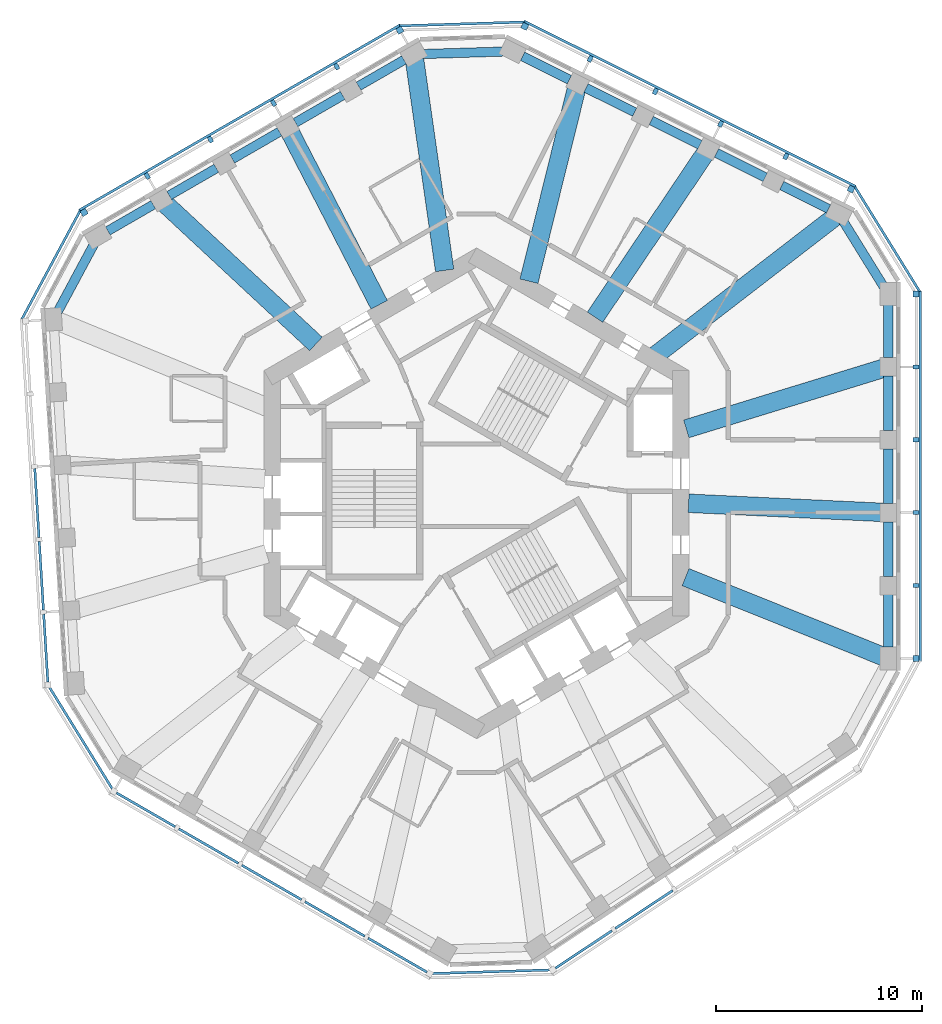
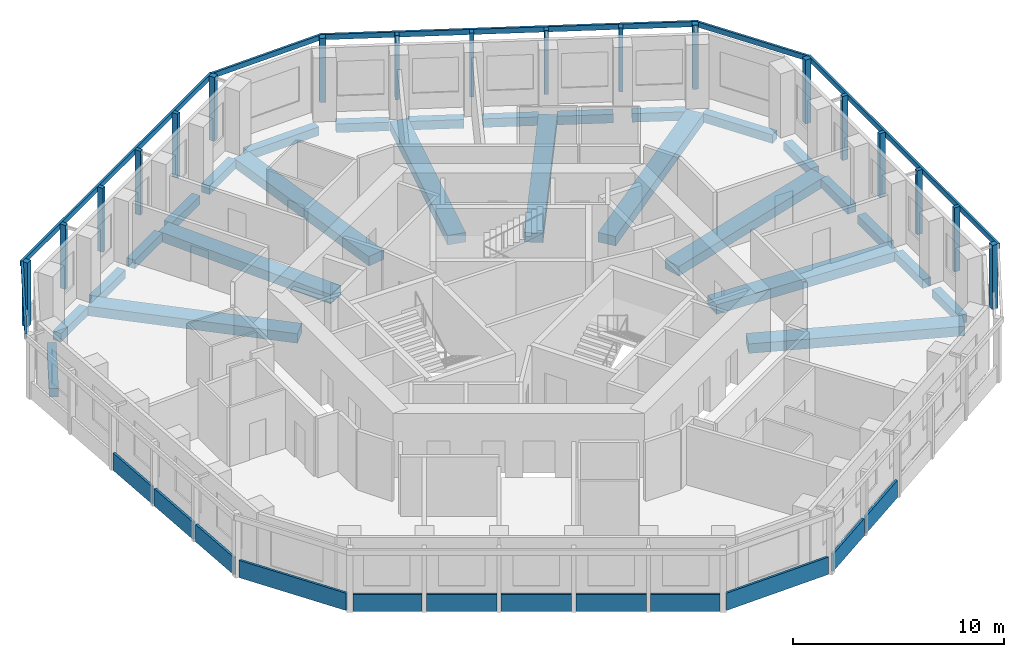
# One storey, part 2 of 11: 27 beams, 24 members, 12 plates, 11 elements without a shape of their own.
"""IFC4 building model written with IfcOpenShell, lengths in metres."""

from ifc_helpers import new_model, si_unit, direction, frame, origin, origin_2d, place, context, subcontext, project, spatial, rectangle, extrude, material, layer, layer_set, material_profile, profile_set, type_object, element, aggregate, save


model = new_model("IFC4")

# Units and contexts
model_context = context("Model", 3, precision=1e-05, world=origin(), true_north=direction((0.0, 1.0)))
body_context = subcontext(model_context, "Body", "Model", "MODEL_VIEW")
ifc_project = project(units=[si_unit("LENGTHUNIT", "METRE"), si_unit("AREAUNIT", "SQUARE_METRE"), si_unit("VOLUMEUNIT", "CUBIC_METRE"), si_unit("PLANEANGLEUNIT", "RADIAN"), si_unit("MASSUNIT", "GRAM", prefix="KILO")], contexts=[model_context])

# Site, building, storey
site_placement = place(None, origin())
site = spatial("IfcSite", under=ifc_project, at=site_placement, CompositionType="ELEMENT")
building_placement = place(site_placement, origin())
building = spatial("IfcBuilding", under=site, at=building_placement, Name="Vanh Sen Convention Tower", CompositionType="ELEMENT")
storey_placement = place(building_placement, frame((0.0, 0.0, 232.800048828125)))
storey = spatial("IfcBuildingStorey", under=building, at=storey_placement, Name="L57", CompositionType="ELEMENT", Elevation=232.800048828125)

# Curtain wall, members
ifc_material_1 = material(Name="Concrete C50/60", Category="concrete")
curtain_wall_type = type_object("IfcCurtainWallType", Name="Outer skin office zone", PredefinedType="NOTDEFINED", material=ifc_material_1)
curtain_wall_1_placement = place(storey_placement, origin())
curtain_wall_1 = element("IfcCurtainWall", 1, at=curtain_wall_1_placement, inside=storey, type_object=curtain_wall_type, Name="OUTER SKIN E L57", PredefinedType="NOTDEFINED")
ifc_material_profile_1 = material_profile(ifc_material_1, rectangle(XDim=0.300048828125, YDim=0.300048828125, at=origin_2d()), Name="Outer skin precast corner fin 300 x 300")
ifc_profile_set_1 = profile_set([ifc_material_profile_1], Name="Concrete C50/60")
member_type_1 = type_object("IfcMemberType", Name="Outer skin precast corner fin 300 x 300", PredefinedType="MULLION", material=ifc_profile_set_1)
member_1_placement = place(storey_placement, frame((21.300048828125, -8.002685546875, 0.0), z_axis=(0.0, 0.0, 1.0), x_axis=(0.0, 1.0, 0.0)))
member_1 = element("IfcMember", 2, at=member_1_placement, type_object=member_type_1, Name="OUTER SKIN CORNER FIN 1 E L57", PredefinedType="MULLION", context=body_context, shape_type="SweptSolid", body=[
    extrude(rectangle(XDim=0.300048828125, YDim=0.300048828125, at=origin_2d()), origin(), (0.0, 0.0, 1.0), 3.699951171875),
])
member_2_placement = place(storey_placement, frame((21.300048828125, 9.665283203125, 0.0), z_axis=(0.0, 0.0, 1.0), x_axis=(0.0, 1.0, 0.0)))
member_2 = element("IfcMember", 3, at=member_2_placement, type_object=member_type_1, Name="OUTER SKIN CORNER FIN 6 E L57", PredefinedType="MULLION", context=body_context, shape_type="SweptSolid", body=[
    extrude(rectangle(XDim=0.300048828125, YDim=0.300048828125, at=origin_2d()), origin(), (0.0, 0.0, 1.0), 3.699951171875),
])

curtain_wall_2_placement = place(storey_placement, origin())
curtain_wall_2 = element("IfcCurtainWall", 4, at=curtain_wall_2_placement, inside=storey, type_object=curtain_wall_type, Name="OUTER SKIN NE L57", PredefinedType="NOTDEFINED")
member_3_placement = place(storey_placement, frame((18.15380859375, 14.74951171875, 0.0), z_axis=(0.0, 0.0, 1.0), x_axis=(-0.894934361602, 0.44619781311, 0.0)))
member_3 = element("IfcMember", 5, at=member_3_placement, type_object=member_type_1, Name="OUTER SKIN CORNER FIN 1 NE L57", PredefinedType="MULLION", context=body_context, shape_type="SweptSolid", body=[
    extrude(rectangle(XDim=0.300048828125, YDim=0.300048828125, at=origin_2d()), origin(), (0.0, 0.0, 1.0), 3.699951171875),
])
member_4_placement = place(storey_placement, frame((2.342041015625, 22.633056640625, 0.0), z_axis=(0.0, 0.0, 1.0), x_axis=(-0.894934361602, 0.44619781311, 0.0)))
member_4 = element("IfcMember", 6, at=member_4_placement, type_object=member_type_1, Name="OUTER SKIN CORNER FIN 6 NE L57", PredefinedType="MULLION", context=body_context, shape_type="SweptSolid", body=[
    extrude(rectangle(XDim=0.300048828125, YDim=0.300048828125, at=origin_2d()), origin(), (0.0, 0.0, 1.0), 3.699951171875),
])

curtain_wall_3_placement = place(storey_placement, origin())
curtain_wall_3 = element("IfcCurtainWall", 7, at=curtain_wall_3_placement, inside=storey, type_object=curtain_wall_type, Name="OUTER SKIN NW L57", PredefinedType="NOTDEFINED")
member_5_placement = place(storey_placement, frame((-3.719482421875, 22.44775390625, 0.0), z_axis=(0.0, 0.0, 1.0), x_axis=(-0.866025403784, -0.5, 0.0)))
member_5 = element("IfcMember", 8, at=member_5_placement, type_object=member_type_1, Name="OUTER SKIN CORNER FIN 1 NW L57", PredefinedType="MULLION", context=body_context, shape_type="SweptSolid", body=[
    extrude(rectangle(XDim=0.300048828125, YDim=0.300048828125, at=origin_2d()), origin(), (0.0, 0.0, 1.0), 3.699951171875),
])
member_6_placement = place(storey_placement, frame((-19.0205078125, 13.613525390625, 0.0), z_axis=(0.0, 0.0, 1.0), x_axis=(-0.866025403784, -0.5, 0.0)))
member_6 = element("IfcMember", 9, at=member_6_placement, type_object=member_type_1, Name="OUTER SKIN CORNER FIN 6 NW L57", PredefinedType="MULLION", context=body_context, shape_type="SweptSolid", body=[
    extrude(rectangle(XDim=0.300048828125, YDim=0.300048828125, at=origin_2d()), origin(), (0.0, 0.0, 1.0), 3.699951171875),
])

# Member
ifc_material_profile_2 = material_profile(ifc_material_1, rectangle(XDim=0.199951171875, YDim=0.300048828125, at=origin_2d()), Name="Outer skin precast fin 200 x 300")
ifc_profile_set_2 = profile_set([ifc_material_profile_2], Name="Concrete C50/60")
member_type_2 = type_object("IfcMemberType", Name="Outer skin precast fin 200 x 300", PredefinedType="MULLION", material=ifc_profile_set_2)
member_7_placement = place(storey_placement, frame((21.300048828125, -4.46923828125, 0.0), z_axis=(0.0, 0.0, 1.0), x_axis=(0.0, 1.0, 0.0)))
member_7 = element("IfcMember", 10, at=member_7_placement, type_object=member_type_2, Name="OUTER SKIN fin 2 E L57", PredefinedType="MULLION", context=body_context, shape_type="SweptSolid", body=[
    extrude(rectangle(XDim=0.199951171875, YDim=0.300048828125, at=origin_2d()), origin(), (0.0, 0.0, 1.0), 3.699951171875),
])

member_8_placement = place(storey_placement, frame((21.300048828125, -0.935546875, 0.0), z_axis=(0.0, 0.0, 1.0), x_axis=(0.0, 1.0, 0.0)))
member_8 = element("IfcMember", 11, at=member_8_placement, type_object=member_type_2, Name="OUTER SKIN fin 3 E L57", PredefinedType="MULLION", context=body_context, shape_type="SweptSolid", body=[
    extrude(rectangle(XDim=0.199951171875, YDim=0.300048828125, at=origin_2d()), origin(), (0.0, 0.0, 1.0), 3.699951171875),
])

member_9_placement = place(storey_placement, frame((21.300048828125, 2.59814453125, 0.0), z_axis=(0.0, 0.0, 1.0), x_axis=(0.0, 1.0, 0.0)))
member_9 = element("IfcMember", 12, at=member_9_placement, type_object=member_type_2, Name="OUTER SKIN fin 4 E L57", PredefinedType="MULLION", context=body_context, shape_type="SweptSolid", body=[
    extrude(rectangle(XDim=0.199951171875, YDim=0.300048828125, at=origin_2d()), origin(), (0.0, 0.0, 1.0), 3.699951171875),
])

member_10_placement = place(storey_placement, frame((21.300048828125, 6.131591796875, 0.0), z_axis=(0.0, 0.0, 1.0), x_axis=(0.0, 1.0, 0.0)))
member_10 = element("IfcMember", 13, at=member_10_placement, type_object=member_type_2, Name="OUTER SKIN fin 5 E L57", PredefinedType="MULLION", context=body_context, shape_type="SweptSolid", body=[
    extrude(rectangle(XDim=0.199951171875, YDim=0.300048828125, at=origin_2d()), origin(), (0.0, 0.0, 1.0), 3.699951171875),
])

member_11_placement = place(storey_placement, frame((14.99169921875, 16.326171875, 0.0), z_axis=(0.0, 0.0, 1.0), x_axis=(-0.894934361602, 0.44619781311, 0.0)))
member_11 = element("IfcMember", 14, at=member_11_placement, type_object=member_type_2, Name="OUTER SKIN fin 2 NE L57", PredefinedType="MULLION", context=body_context, shape_type="SweptSolid", body=[
    extrude(rectangle(XDim=0.199951171875, YDim=0.300048828125, at=origin_2d()), origin(), (0.0, 0.0, 1.0), 3.699951171875),
])

member_12_placement = place(storey_placement, frame((11.8291015625, 17.90283203125, 0.0), z_axis=(0.0, 0.0, 1.0), x_axis=(-0.894934361602, 0.44619781311, 0.0)))
member_12 = element("IfcMember", 15, at=member_12_placement, type_object=member_type_2, Name="OUTER SKIN fin 3 NE L57", PredefinedType="MULLION", context=body_context, shape_type="SweptSolid", body=[
    extrude(rectangle(XDim=0.199951171875, YDim=0.300048828125, at=origin_2d()), origin(), (0.0, 0.0, 1.0), 3.699951171875),
])

member_13_placement = place(storey_placement, frame((8.666748046875, 19.4794921875, 0.0), z_axis=(0.0, 0.0, 1.0), x_axis=(-0.894934361602, 0.44619781311, 0.0)))
member_13 = element("IfcMember", 16, at=member_13_placement, type_object=member_type_2, Name="OUTER SKIN fin 4 NE L57", PredefinedType="MULLION", context=body_context, shape_type="SweptSolid", body=[
    extrude(rectangle(XDim=0.199951171875, YDim=0.300048828125, at=origin_2d()), origin(), (0.0, 0.0, 1.0), 3.699951171875),
])

member_14_placement = place(storey_placement, frame((5.50439453125, 21.056396484375, 0.0), z_axis=(0.0, 0.0, 1.0), x_axis=(-0.894934361602, 0.44619781311, 0.0)))
member_14 = element("IfcMember", 17, at=member_14_placement, type_object=member_type_2, Name="OUTER SKIN fin 5 NE L57", PredefinedType="MULLION", context=body_context, shape_type="SweptSolid", body=[
    extrude(rectangle(XDim=0.199951171875, YDim=0.300048828125, at=origin_2d()), origin(), (0.0, 0.0, 1.0), 3.699951171875),
])

member_15_placement = place(storey_placement, frame((-6.779541015625, 20.680908203125, 0.0), z_axis=(0.0, 0.0, 1.0), x_axis=(-0.866025403784, -0.5, 0.0)))
member_15 = element("IfcMember", 18, at=member_15_placement, type_object=member_type_2, Name="OUTER SKIN fin 2 NW L57", PredefinedType="MULLION", context=body_context, shape_type="SweptSolid", body=[
    extrude(rectangle(XDim=0.199951171875, YDim=0.300048828125, at=origin_2d()), origin(), (0.0, 0.0, 1.0), 3.699951171875),
])

member_16_placement = place(storey_placement, frame((-9.83984375, 18.9140625, 0.0), z_axis=(0.0, 0.0, 1.0), x_axis=(-0.866025403784, -0.5, 0.0)))
member_16 = element("IfcMember", 19, at=member_16_placement, type_object=member_type_2, Name="OUTER SKIN fin 3 NW L57", PredefinedType="MULLION", context=body_context, shape_type="SweptSolid", body=[
    extrude(rectangle(XDim=0.199951171875, YDim=0.300048828125, at=origin_2d()), origin(), (0.0, 0.0, 1.0), 3.699951171875),
])

member_17_placement = place(storey_placement, frame((-12.89990234375, 17.147216796875, 0.0), z_axis=(0.0, 0.0, 1.0), x_axis=(-0.866025403784, -0.5, 0.0)))
member_17 = element("IfcMember", 20, at=member_17_placement, type_object=member_type_2, Name="OUTER SKIN fin 4 NW L57", PredefinedType="MULLION", context=body_context, shape_type="SweptSolid", body=[
    extrude(rectangle(XDim=0.199951171875, YDim=0.300048828125, at=origin_2d()), origin(), (0.0, 0.0, 1.0), 3.699951171875),
])

member_18_placement = place(storey_placement, frame((-15.960205078125, 15.38037109375, 0.0), z_axis=(0.0, 0.0, 1.0), x_axis=(-0.866025403784, -0.5, 0.0)))
member_18 = element("IfcMember", 21, at=member_18_placement, type_object=member_type_2, Name="OUTER SKIN fin 5 NW L57", PredefinedType="MULLION", context=body_context, shape_type="SweptSolid", body=[
    extrude(rectangle(XDim=0.199951171875, YDim=0.300048828125, at=origin_2d()), origin(), (0.0, 0.0, 1.0), 3.699951171875),
])

ifc_material_profile_3 = material_profile(ifc_material_1, rectangle(XDim=0.1201171875, YDim=0.300048828125, at=origin_2d()), Name="Outer skin precast spandrel band 300 x 120")
ifc_profile_set_3 = profile_set([ifc_material_profile_3], Name="Concrete C50/60")
member_type_3 = type_object("IfcMemberType", Name="Outer skin precast spandrel band 300 x 120", PredefinedType="USERDEFINED", material=ifc_profile_set_3)
member_19_placement = place(storey_placement, frame((21.510009765625, -8.15283203125, 3.550048828125), z_axis=(0.0, 1.0, 0.0), x_axis=(-1.0, 0.0, 0.0)))
member_19 = element("IfcMember", 22, at=member_19_placement, type_object=member_type_3, Name="OUTER SKIN spandrel band E L57", ObjectType="TRANSOM", PredefinedType="USERDEFINED", context=body_context, shape_type="SweptSolid", body=[
    extrude(rectangle(XDim=0.1201171875, YDim=0.300048828125, at=origin_2d()), origin(), (0.0, 0.0, 1.0), 17.96826171875),
])

aggregate(curtain_wall_1, [member_1, member_7, member_8, member_9, member_10, member_2, member_19])

# Curtain wall, member
curtain_wall_4_placement = place(storey_placement, origin())
curtain_wall_4 = element("IfcCurtainWall", 23, at=curtain_wall_4_placement, inside=storey, type_object=curtain_wall_type, Name="OUTER SKIN CH1 L57", PredefinedType="NOTDEFINED")
member_20_placement = place(storey_placement, frame((21.478515625, 9.77587890625, 3.550048828125), z_axis=(-0.526187318786, 0.850368688011, 0.0), x_axis=(-0.850368688011, -0.526187318786, 0.0)))
member_20 = element("IfcMember", 24, at=member_20_placement, type_object=member_type_3, Name="OUTER SKIN spandrel band CH1 L57", ObjectType="TRANSOM", PredefinedType="USERDEFINED", context=body_context, shape_type="SweptSolid", body=[
    extrude(rectangle(XDim=0.1201171875, YDim=0.300048828125, at=origin_2d()), origin(), (0.0, 0.0, 1.0), 5.978759765625),
])
aggregate(curtain_wall_4, [member_20])

# Member
member_21_placement = place(storey_placement, frame((18.3818359375, 14.87060546875, 3.550048828125), z_axis=(-0.894940208367, 0.446186086121, 0.0), x_axis=(-0.446186086121, -0.894940208367, 0.0)))
member_21 = element("IfcMember", 25, at=member_21_placement, type_object=member_type_3, Name="OUTER SKIN spandrel band NE L57", ObjectType="TRANSOM", PredefinedType="USERDEFINED", context=body_context, shape_type="SweptSolid", body=[
    extrude(rectangle(XDim=0.1201171875, YDim=0.300048828125, at=origin_2d()), origin(), (0.0, 0.0, 1.0), 17.968017578125),
])

aggregate(curtain_wall_2, [member_3, member_11, member_12, member_13, member_14, member_4, member_21])

# Curtain wall, member
curtain_wall_5_placement = place(storey_placement, origin())
curtain_wall_5 = element("IfcCurtainWall", 26, at=curtain_wall_5_placement, inside=storey, type_object=curtain_wall_type, Name="OUTER SKIN CH2 L57", PredefinedType="NOTDEFINED")
member_22_placement = place(storey_placement, frame((2.335693359375, 22.843017578125, 3.550048828125), z_axis=(-0.999533054911, -0.030556049165, 0.0), x_axis=(0.030556049165, -0.999533054911, 0.0)))
member_22 = element("IfcMember", 27, at=member_22_placement, type_object=member_type_3, Name="OUTER SKIN spandrel band CH2 L57", ObjectType="TRANSOM", PredefinedType="USERDEFINED", context=body_context, shape_type="SweptSolid", body=[
    extrude(rectangle(XDim=0.1201171875, YDim=0.300048828125, at=origin_2d()), origin(), (0.0, 0.0, 1.0), 6.064453125),
])
aggregate(curtain_wall_5, [member_22])

# Member
member_23_placement = place(storey_placement, frame((-3.694580078125, 22.70458984375, 3.550048828125), z_axis=(-0.866022898019, -0.500004340088, 0.0), x_axis=(0.500004340088, -0.866022898019, 0.0)))
member_23 = element("IfcMember", 28, at=member_23_placement, type_object=member_type_3, Name="OUTER SKIN spandrel band NW L57", ObjectType="TRANSOM", PredefinedType="USERDEFINED", context=body_context, shape_type="SweptSolid", body=[
    extrude(rectangle(XDim=0.1201171875, YDim=0.300048828125, at=origin_2d()), origin(), (0.0, 0.0, 1.0), 17.968017578125),
])

aggregate(curtain_wall_3, [member_5, member_15, member_16, member_17, member_18, member_6, member_23])

# Curtain wall, member
curtain_wall_6_placement = place(storey_placement, origin())
curtain_wall_6 = element("IfcCurtainWall", 29, at=curtain_wall_6_placement, inside=storey, type_object=curtain_wall_type, Name="OUTER SKIN CH3 L57", PredefinedType="NOTDEFINED")
member_24_placement = place(storey_placement, frame((-19.20556640625, 13.712890625, 3.550048828125), z_axis=(-0.473317965247, -0.880891652688, 0.0), x_axis=(0.880891652688, -0.473317965247, 0.0)))
member_24 = element("IfcMember", 30, at=member_24_placement, type_object=member_type_3, Name="OUTER SKIN spandrel band CH3 L57", ObjectType="TRANSOM", PredefinedType="USERDEFINED", context=body_context, shape_type="SweptSolid", body=[
    extrude(rectangle(XDim=0.1201171875, YDim=0.300048828125, at=origin_2d()), origin(), (0.0, 0.0, 1.0), 5.978759765625),
])
aggregate(curtain_wall_6, [member_24])

# Beams
ifc_material_2 = material(Name="Concrete C50/60", Category="concrete")
ifc_material_profile_4 = material_profile(ifc_material_2, rectangle(XDim=0.89990234375, YDim=0.550048828125, at=origin_2d()), Name="RC 900X550")
ifc_profile_set_4 = profile_set([ifc_material_profile_4], Name="Concrete C50/60")
beam_type_1 = type_object("IfcBeamType", Name="Radial floor beam 900 x 550", PredefinedType="BEAM", material=ifc_profile_set_4)
beam_1_placement = place(storey_placement, frame((19.72216796875, -7.911376953125, -0.554931640625), z_axis=(-0.928114670257, 0.372294451816, 0.0), x_axis=(-0.372294451816, -0.928114670257, 0.0)))
element("IfcBeam", 31, at=beam_1_placement, inside=storey, type_object=beam_type_1, Name="Radial beam 01 L57", PredefinedType="BEAM", context=body_context, shape_type="SweptSolid", body=[
    extrude(rectangle(XDim=0.89990234375, YDim=0.550048828125, at=origin_2d()), origin(), (0.0, 0.0, 1.0), 10.337646484375),
])
beam_2_placement = place(storey_placement, frame((19.944580078125, -0.935302734375, -0.554931640625), z_axis=(-0.998901717951, 0.046854646233, 0.0), x_axis=(-0.046854646233, -0.998901717951, 0.0)))
element("IfcBeam", 32, at=beam_2_placement, inside=storey, type_object=beam_type_1, Name="Radial beam 02 L57", PredefinedType="BEAM", context=body_context, shape_type="SweptSolid", body=[
    extrude(rectangle(XDim=0.89990234375, YDim=0.550048828125, at=origin_2d()), origin(), (0.0, 0.0, 1.0), 9.681396484375),
])
beam_3_placement = place(storey_placement, frame((19.89013671875, 6.11328125, -0.554931640625), z_axis=(-0.955867150523, -0.293799235111, 0.0), x_axis=(0.293799235111, -0.955867150523, 0.0)))
element("IfcBeam", 33, at=beam_3_placement, inside=storey, type_object=beam_type_1, Name="Radial beam 03 L57", PredefinedType="BEAM", context=body_context, shape_type="SweptSolid", body=[
    extrude(rectangle(XDim=0.89990234375, YDim=0.550048828125, at=origin_2d()), origin(), (0.0, 0.0, 1.0), 10.17626953125),
])
beam_4_placement = place(storey_placement, frame((17.376220703125, 13.406005859375, -0.554931640625), z_axis=(-0.79175189304, -0.610842811096, 0.0), x_axis=(0.610842811096, -0.79175189304, 0.0)))
element("IfcBeam", 34, at=beam_4_placement, inside=storey, type_object=beam_type_1, Name="Radial beam 04 L57", PredefinedType="BEAM", context=body_context, shape_type="SweptSolid", body=[
    extrude(rectangle(XDim=0.89990234375, YDim=0.550048828125, at=origin_2d()), origin(), (0.0, 0.0, 1.0), 11.0),
])
beam_5_placement = place(storey_placement, frame((11.21337890625, 16.6748046875, -0.554931640625), z_axis=(-0.558028035839, -0.829822096125, 0.0), x_axis=(0.829822096125, -0.558028035839, 0.0)))
element("IfcBeam", 35, at=beam_5_placement, inside=storey, type_object=beam_type_1, Name="Radial beam 05 L57", PredefinedType="BEAM", context=body_context, shape_type="SweptSolid", body=[
    extrude(rectangle(XDim=0.89990234375, YDim=0.550048828125, at=origin_2d()), origin(), (0.0, 0.0, 1.0), 9.80615234375),
])
beam_6_placement = place(storey_placement, frame((4.891357421875, 19.8046875, -0.554931640625), z_axis=(-0.239789122055, -0.970824998104, 0.0), x_axis=(0.970824998104, -0.239789122055, 0.0)))
element("IfcBeam", 36, at=beam_6_placement, inside=storey, type_object=beam_type_1, Name="Radial beam 06 L57", PredefinedType="BEAM", context=body_context, shape_type="SweptSolid", body=[
    extrude(rectangle(XDim=0.89990234375, YDim=0.550048828125, at=origin_2d()), origin(), (0.0, 0.0, 1.0), 9.81298828125),
])
beam_7_placement = place(storey_placement, frame((-3.009521484375, 21.03564453125, -0.554931640625), z_axis=(0.141629652846, -0.989919714641, 0.0), x_axis=(0.989919714641, 0.141629652846, 0.0)))
element("IfcBeam", 37, at=beam_7_placement, inside=storey, type_object=beam_type_1, Name="Radial beam 07 L57", PredefinedType="BEAM", context=body_context, shape_type="SweptSolid", body=[
    extrude(rectangle(XDim=0.89990234375, YDim=0.550048828125, at=origin_2d()), origin(), (0.0, 0.0, 1.0), 10.337646484375),
])
beam_8_placement = place(storey_placement, frame((-9.162353515625, 17.740234375, -0.554931640625), z_axis=(0.458886355863, -0.888494970387, 0.0), x_axis=(0.888494970387, 0.458886355863, 0.0)))
element("IfcBeam", 38, at=beam_8_placement, inside=storey, type_object=beam_type_1, Name="Radial beam 08 L57", PredefinedType="BEAM", context=body_context, shape_type="SweptSolid", body=[
    extrude(rectangle(XDim=0.89990234375, YDim=0.550048828125, at=origin_2d()), origin(), (0.0, 0.0, 1.0), 9.681396484375),
])
beam_9_placement = place(storey_placement, frame((-15.239501953125, 14.168701171875, -0.554931640625), z_axis=(0.732368678004, -0.680908304751, 0.0), x_axis=(0.680908304751, 0.732368678004, 0.0)))
element("IfcBeam", 39, at=beam_9_placement, inside=storey, type_object=beam_type_1, Name="Radial beam 09 L57", PredefinedType="BEAM", context=body_context, shape_type="SweptSolid", body=[
    extrude(rectangle(XDim=0.89990234375, YDim=0.550048828125, at=origin_2d()), origin(), (0.0, 0.0, 1.0), 10.176513671875),
])
ifc_material_profile_5 = material_profile(ifc_material_2, rectangle(XDim=0.449951171875, YDim=0.5, at=origin_2d()), Name="RC 450X500")
ifc_profile_set_5 = profile_set([ifc_material_profile_5], Name="Concrete C50/60")
beam_type_2 = type_object("IfcBeamType", Name="Spandrel beam 450 x 500", PredefinedType="SPANDREL", material=ifc_profile_set_5)
beam_10_placement = place(storey_placement, frame((19.949951171875, -7.457763671875, -0.530029296875), z_axis=(0.0, 1.0, 0.0), x_axis=(-1.0, 0.0, 0.0)))
element("IfcBeam", 40, at=beam_10_placement, inside=storey, type_object=beam_type_2, Name="Spandrel beam 01 L57", PredefinedType="SPANDREL", context=body_context, shape_type="SweptSolid", body=[
    extrude(rectangle(XDim=0.449951171875, YDim=0.5, at=origin_2d()), origin(), (0.0, 0.0, 1.0), 2.54345703125),
])
for number, where, z_axis, x_axis, name in (
    (41, (19.949951171875, -4.024169921875, -0.530029296875), (0.0, 1.0, 0.0), (-1.0, 0.0, 0.0), "Spandrel beam 02 L57"),
    (42, (19.949951171875, -0.490478515625, -0.530029296875), (0.0, 1.0, 0.0), (-1.0, 0.0, 0.0), "Spandrel beam 03 L57"),
    (43, (19.949951171875, 3.043212890625, -0.530029296875), (0.0, 1.0, 0.0), (-1.0, 0.0, 0.0), "Spandrel beam 04 L57"),
):
    element("IfcBeam", number, at=place(storey_placement, frame(where, z_axis=z_axis, x_axis=x_axis)), inside=storey, type_object=beam_type_2, Name=name, PredefinedType="SPANDREL", context=body_context, shape_type="SweptSolid", body=[
        extrude(rectangle(XDim=0.449951171875, YDim=0.5, at=origin_2d()), origin(), (0.0, 0.0, 1.0), 2.6435546875),
    ])
beam_11_placement = place(storey_placement, frame((19.949951171875, 6.57666015625, -0.530029296875), z_axis=(0.0, 1.0, 0.0), x_axis=(-1.0, 0.0, 0.0)))
element("IfcBeam", 44, at=beam_11_placement, inside=storey, type_object=beam_type_2, Name="Spandrel beam 05 L57", PredefinedType="SPANDREL", context=body_context, shape_type="SweptSolid", body=[
    extrude(rectangle(XDim=0.449951171875, YDim=0.5, at=origin_2d()), origin(), (0.0, 0.0, 1.0), 2.543701171875),
])
beam_12_placement = place(storey_placement, frame((19.743896484375, 9.998291015625, -0.530029296875), z_axis=(-0.526203201027, 0.850358860264, 0.0), x_axis=(-0.850358860264, -0.526203201027, 0.0)))
element("IfcBeam", 45, at=beam_12_placement, inside=storey, type_object=beam_type_2, Name="Spandrel beam 06 L57", PredefinedType="SPANDREL", context=body_context, shape_type="SweptSolid", body=[
    extrude(rectangle(XDim=0.449951171875, YDim=0.5, at=origin_2d()), origin(), (0.0, 0.0, 1.0), 3.77490234375),
])
beam_13_placement = place(storey_placement, frame((17.063720703125, 13.784423828125, -0.530029296875), z_axis=(-0.894925734573, 0.446215115834, 0.0), x_axis=(-0.446215115834, -0.894925734573, 0.0)))
element("IfcBeam", 46, at=beam_13_placement, inside=storey, type_object=beam_type_2, Name="Spandrel beam 07 L57", PredefinedType="SPANDREL", context=body_context, shape_type="SweptSolid", body=[
    extrude(rectangle(XDim=0.449951171875, YDim=0.5, at=origin_2d()), origin(), (0.0, 0.0, 1.0), 2.543701171875),
])
for number, where, z_axis, x_axis, name in (
    (47, (13.990966796875, 15.31640625, -0.530029296875), (-0.894925303477, 0.446215980436, 0.0), (-0.446215980436, -0.894925303477, 0.0), "Spandrel beam 08 L57"),
    (48, (10.82861328125, 16.893310546875, -0.530029296875), (-0.894925303477, 0.446215980436, 0.0), (-0.446215980436, -0.894925303477, 0.0), "Spandrel beam 09 L57"),
    (49, (7.666259765625, 18.469970703125, -0.530029296875), (-0.894925303477, 0.446215980436, 0.0), (-0.446215980436, -0.894925303477, 0.0), "Spandrel beam 10 L57"),
):
    element("IfcBeam", number, at=place(storey_placement, frame(where, z_axis=z_axis, x_axis=x_axis)), inside=storey, type_object=beam_type_2, Name=name, PredefinedType="SPANDREL", context=body_context, shape_type="SweptSolid", body=[
        extrude(rectangle(XDim=0.449951171875, YDim=0.5, at=origin_2d()), origin(), (0.0, 0.0, 1.0), 2.643798828125),
    ])
beam_14_placement = place(storey_placement, frame((4.50390625, 20.046630859375, -0.530029296875), z_axis=(-0.894944842666, 0.44617679073, 0.0), x_axis=(-0.44617679073, -0.894944842666, 0.0)))
element("IfcBeam", 50, at=beam_14_placement, inside=storey, type_object=beam_type_2, Name="Spandrel beam 11 L57", PredefinedType="SPANDREL", context=body_context, shape_type="SweptSolid", body=[
    extrude(rectangle(XDim=0.449951171875, YDim=0.5, at=origin_2d()), origin(), (0.0, 0.0, 1.0), 2.5439453125),
])
beam_15_placement = place(storey_placement, frame((1.318603515625, 21.411865234375, -0.530029296875), z_axis=(-0.999534166839, -0.030519654667, 0.0), x_axis=(0.030519654667, -0.999534166839, 0.0)))
element("IfcBeam", 51, at=beam_15_placement, inside=storey, type_object=beam_type_2, Name="Spandrel beam 12 L57", PredefinedType="SPANDREL", context=body_context, shape_type="SweptSolid", body=[
    extrude(rectangle(XDim=0.449951171875, YDim=0.5, at=origin_2d()), origin(), (0.0, 0.0, 1.0), 3.94384765625),
])
beam_16_placement = place(storey_placement, frame((-3.516357421875, 21.006103515625, -0.530029296875), z_axis=(-0.866043336059, -0.499968939103, 0.0), x_axis=(0.499968939103, -0.866043336059, 0.0)))
element("IfcBeam", 52, at=beam_16_placement, inside=storey, type_object=beam_type_2, Name="Spandrel beam 13 L57", PredefinedType="SPANDREL", context=body_context, shape_type="SweptSolid", body=[
    extrude(rectangle(XDim=0.449951171875, YDim=0.5, at=origin_2d()), origin(), (0.0, 0.0, 1.0), 2.543701171875),
])
for number, where, z_axis, x_axis, name in (
    (53, (-6.489990234375, 19.289306640625, -0.530029296875), (-0.866017944311, -0.500012919964, 0.0), (0.500012919964, -0.866017944311, 0.0), "Spandrel beam 14 L57"),
    (54, (-9.55029296875, 17.5224609375, -0.530029296875), (-0.866017944311, -0.500012919964, 0.0), (0.500012919964, -0.866017944311, 0.0), "Spandrel beam 15 L57"),
):
    element("IfcBeam", number, at=place(storey_placement, frame(where, z_axis=z_axis, x_axis=x_axis)), inside=storey, type_object=beam_type_2, Name=name, PredefinedType="SPANDREL", context=body_context, shape_type="SweptSolid", body=[
        extrude(rectangle(XDim=0.449951171875, YDim=0.5, at=origin_2d()), origin(), (0.0, 0.0, 1.0), 2.6435546875),
    ])
beam_17_placement = place(storey_placement, frame((-12.6103515625, 15.755615234375, -0.530029296875), z_axis=(-0.866041031621, -0.499972930816, 0.0), x_axis=(0.499972930816, -0.866041031621, 0.0)))
element("IfcBeam", 55, at=beam_17_placement, inside=storey, type_object=beam_type_2, Name="Spandrel beam 16 L57", PredefinedType="SPANDREL", context=body_context, shape_type="SweptSolid", body=[
    extrude(rectangle(XDim=0.449951171875, YDim=0.5, at=origin_2d()), origin(), (0.0, 0.0, 1.0), 2.643798828125),
])
beam_18_placement = place(storey_placement, frame((-15.670654296875, 13.98876953125, -0.530029296875), z_axis=(-0.866043336059, -0.499968939103, 0.0), x_axis=(0.499968939103, -0.866043336059, 0.0)))
element("IfcBeam", 56, at=beam_18_placement, inside=storey, type_object=beam_type_2, Name="Spandrel beam 17 L57", PredefinedType="SPANDREL", context=body_context, shape_type="SweptSolid", body=[
    extrude(rectangle(XDim=0.449951171875, YDim=0.5, at=origin_2d()), origin(), (0.0, 0.0, 1.0), 2.543701171875),
])
beam_19_placement = place(storey_placement, frame((-18.53076171875, 12.099609375, -0.530029296875), z_axis=(-0.473305113601, -0.880898557973, 0.0), x_axis=(0.880898557973, -0.473305113601, 0.0)))
element("IfcBeam", 57, at=beam_19_placement, inside=storey, type_object=beam_type_2, Name="Spandrel beam 18 L57", PredefinedType="SPANDREL", context=body_context, shape_type="SweptSolid", body=[
    extrude(rectangle(XDim=0.449951171875, YDim=0.5, at=origin_2d()), origin(), (0.0, 0.0, 1.0), 3.774658203125),
])

# Curtain wall, plates
curtain_wall_7_placement = place(storey_placement, origin())
curtain_wall_7 = element("IfcCurtainWall", 58, at=curtain_wall_7_placement, inside=storey, type_object=curtain_wall_type, Name="OUTER SKIN W L57", PredefinedType="NOTDEFINED")
ifc_layer = layer(ifc_material_1, 0.1201171875)
ifc_layer_set = layer_set([ifc_layer], Name="Concrete C50/60")
plate_type = type_object("IfcPlateType", Name="Outer skin precast screen panel 120", PredefinedType="CURTAIN_PANEL", material=ifc_layer_set)
plate_1_placement = place(storey_placement, frame((-21.31103515625, -0.470703125, 0.0), z_axis=(0.0, 0.0, 1.0), x_axis=(0.061043313312, -0.998135118058, 0.0)))
plate_1 = element("IfcPlate", 59, at=plate_1_placement, type_object=plate_type, Name="OUTER SKIN screen panel W-3", PredefinedType="CURTAIN_PANEL", context=body_context, shape_type="SweptSolid", body=[
    extrude(rectangle(XDim=3.33349609375, YDim=0.1201171875, at=origin_2d()), origin(), (0.0, 0.0, 1.0), 1.0),
])
plate_2_placement = place(storey_placement, frame((-21.09521484375, -3.99755859375, 0.0), z_axis=(0.0, 0.0, 1.0), x_axis=(0.061043313312, -0.998135118058, 0.0)))
plate_2 = element("IfcPlate", 60, at=plate_2_placement, type_object=plate_type, Name="OUTER SKIN screen panel W-4", PredefinedType="CURTAIN_PANEL", context=body_context, shape_type="SweptSolid", body=[
    extrude(rectangle(XDim=3.33349609375, YDim=0.1201171875, at=origin_2d()), origin(), (0.0, 0.0, 1.0), 1.0),
])
plate_3_placement = place(storey_placement, frame((-20.881103515625, -7.499755859375, 0.0), z_axis=(0.0, 0.0, 1.0), x_axis=(0.061069444408, -0.998133519605, 0.0)))
plate_3 = element("IfcPlate", 61, at=plate_3_placement, type_object=plate_type, Name="OUTER SKIN screen panel W-5", PredefinedType="CURTAIN_PANEL", context=body_context, shape_type="SweptSolid", body=[
    extrude(rectangle(XDim=3.28369140625, YDim=0.1201171875, at=origin_2d()), origin(), (0.0, 0.0, 1.0), 1.0),
])
aggregate(curtain_wall_7, [plate_1, plate_2, plate_3])

# Curtain wall, plate
curtain_wall_8_placement = place(storey_placement, origin())
curtain_wall_8 = element("IfcCurtainWall", 62, at=curtain_wall_8_placement, inside=storey, type_object=curtain_wall_type, Name="OUTER SKIN CH4 L57", PredefinedType="NOTDEFINED")
plate_4_placement = place(storey_placement, frame((-19.176025390625, -11.86669921875, 0.0), z_axis=(0.0, 0.0, 1.0), x_axis=(0.526215407796, -0.850351306578, 0.0)))
plate_4 = element("IfcPlate", 63, at=plate_4_placement, type_object=plate_type, Name="OUTER SKIN screen panel CH4-1", PredefinedType="CURTAIN_PANEL", context=body_context, shape_type="SweptSolid", body=[
    extrude(rectangle(XDim=5.76416015625, YDim=0.1201171875, at=origin_2d()), origin(), (0.0, 0.0, 1.0), 1.0),
])
aggregate(curtain_wall_8, [plate_4])

# Curtain wall, plates
curtain_wall_9_placement = place(storey_placement, origin())
curtain_wall_9 = element("IfcCurtainWall", 64, at=curtain_wall_9_placement, inside=storey, type_object=curtain_wall_type, Name="OUTER SKIN SW L57", PredefinedType="NOTDEFINED")
plate_5_placement = place(storey_placement, frame((-16.02880859375, -15.3408203125, 0.0), z_axis=(0.0, 0.0, 1.0), x_axis=(0.866026276448, -0.4999984885, 0.0)))
plate_5 = element("IfcPlate", 65, at=plate_5_placement, type_object=plate_type, Name="OUTER SKIN screen panel SW-1", PredefinedType="CURTAIN_PANEL", context=body_context, shape_type="SweptSolid", body=[
    extrude(rectangle(XDim=3.28369140625, YDim=0.1201171875, at=origin_2d()), origin(), (0.0, 0.0, 1.0), 1.0),
])
plate_6_placement = place(storey_placement, frame((-12.990234375, -17.09521484375, 0.0), z_axis=(0.0, 0.0, 1.0), x_axis=(0.866026276448, -0.4999984885, 0.0)))
plate_6 = element("IfcPlate", 66, at=plate_6_placement, type_object=plate_type, Name="OUTER SKIN screen panel SW-2", PredefinedType="CURTAIN_PANEL", context=body_context, shape_type="SweptSolid", body=[
    extrude(rectangle(XDim=3.33349609375, YDim=0.1201171875, at=origin_2d()), origin(), (0.0, 0.0, 1.0), 1.0),
])
plate_7_placement = place(storey_placement, frame((-9.93017578125, -18.862060546875, 0.0), z_axis=(0.0, 0.0, 1.0), x_axis=(0.866014058921, -0.500019649364, 0.0)))
plate_7 = element("IfcPlate", 67, at=plate_7_placement, type_object=plate_type, Name="OUTER SKIN screen panel SW-3", PredefinedType="CURTAIN_PANEL", context=body_context, shape_type="SweptSolid", body=[
    extrude(rectangle(XDim=3.333740234375, YDim=0.1201171875, at=origin_2d()), origin(), (0.0, 0.0, 1.0), 1.0),
])
plate_8_placement = place(storey_placement, frame((-6.869873046875, -20.62890625, 0.0), z_axis=(0.0, 0.0, 1.0), x_axis=(0.866026276448, -0.4999984885, 0.0)))
plate_8 = element("IfcPlate", 68, at=plate_8_placement, type_object=plate_type, Name="OUTER SKIN screen panel SW-4", PredefinedType="CURTAIN_PANEL", context=body_context, shape_type="SweptSolid", body=[
    extrude(rectangle(XDim=3.33349609375, YDim=0.1201171875, at=origin_2d()), origin(), (0.0, 0.0, 1.0), 1.0),
])
plate_9_placement = place(storey_placement, frame((-3.831298828125, -22.383056640625, 0.0), z_axis=(0.0, 0.0, 1.0), x_axis=(0.866033257659, -0.499986396443, 0.0)))
plate_9 = element("IfcPlate", 69, at=plate_9_placement, type_object=plate_type, Name="OUTER SKIN screen panel SW-5", PredefinedType="CURTAIN_PANEL", context=body_context, shape_type="SweptSolid", body=[
    extrude(rectangle(XDim=3.28369140625, YDim=0.1201171875, at=origin_2d()), origin(), (0.0, 0.0, 1.0), 1.0),
])
aggregate(curtain_wall_9, [plate_5, plate_6, plate_7, plate_8, plate_9])

# Curtain wall, plate
curtain_wall_10_placement = place(storey_placement, origin())
curtain_wall_10 = element("IfcCurtainWall", 70, at=curtain_wall_10_placement, inside=storey, type_object=curtain_wall_type, Name="OUTER SKIN CH5 L57", PredefinedType="NOTDEFINED")
plate_10_placement = place(storey_placement, frame((0.70849609375, -23.187744140625, 0.0), z_axis=(0.0, 0.0, 1.0), x_axis=(0.999533537535, 0.030540257725, 0.0)))
plate_10 = element("IfcPlate", 71, at=plate_10_placement, type_object=plate_type, Name="OUTER SKIN screen panel CH5-1", PredefinedType="CURTAIN_PANEL", context=body_context, shape_type="SweptSolid", body=[
    extrude(rectangle(XDim=5.6787109375, YDim=0.1201171875, at=origin_2d()), origin(), (0.0, 0.0, 1.0), 1.0),
])
aggregate(curtain_wall_10, [plate_10])

# Curtain wall, plates
curtain_wall_11_placement = place(storey_placement, origin())
curtain_wall_11 = element("IfcCurtainWall", 72, at=curtain_wall_11_placement, inside=storey, type_object=curtain_wall_type, Name="OUTER SKIN SE L57", PredefinedType="NOTDEFINED")
plate_11_placement = place(storey_placement, frame((5.190673828125, -22.107421875, 0.0), z_axis=(0.0, 0.0, 1.0), x_axis=(0.833896418343, 0.551920975752, 0.0)))
plate_11 = element("IfcPlate", 73, at=plate_11_placement, type_object=plate_type, Name="OUTER SKIN screen panel SE-1", PredefinedType="CURTAIN_PANEL", context=body_context, shape_type="SweptSolid", body=[
    extrude(rectangle(XDim=3.28369140625, YDim=0.1201171875, at=origin_2d()), origin(), (0.0, 0.0, 1.0), 1.0),
])
plate_12_placement = place(storey_placement, frame((8.116455078125, -20.1708984375, 0.0), z_axis=(0.0, 0.0, 1.0), x_axis=(0.833874262143, 0.551954450055, 0.0)))
plate_12 = element("IfcPlate", 74, at=plate_12_placement, type_object=plate_type, Name="OUTER SKIN screen panel SE-2", PredefinedType="CURTAIN_PANEL", context=body_context, shape_type="SweptSolid", body=[
    extrude(rectangle(XDim=3.33349609375, YDim=0.1201171875, at=origin_2d()), origin(), (0.0, 0.0, 1.0), 1.0),
])
aggregate(curtain_wall_11, [plate_11, plate_12])

save(model, "model.ifc")
